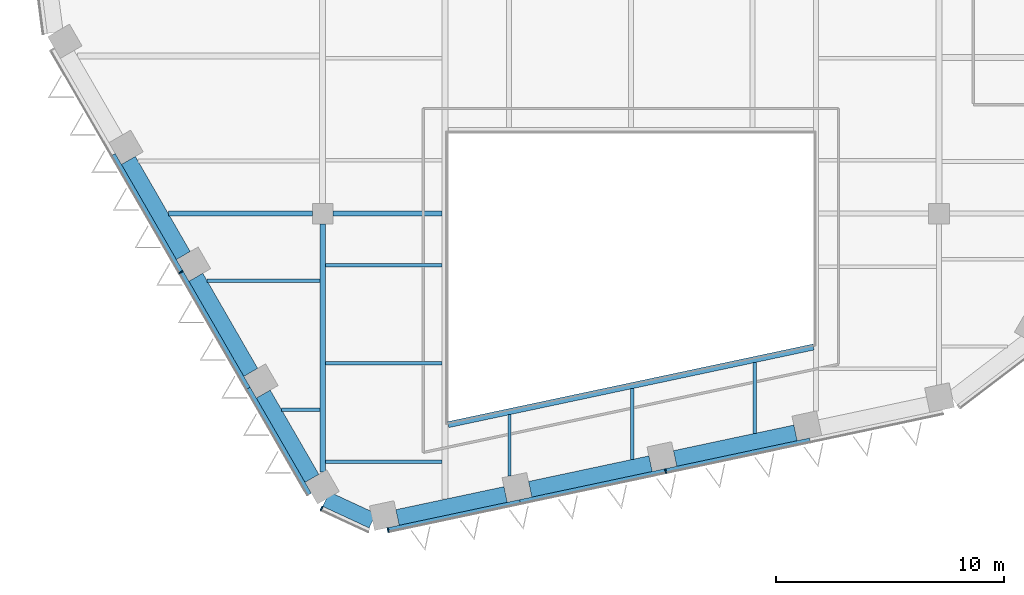
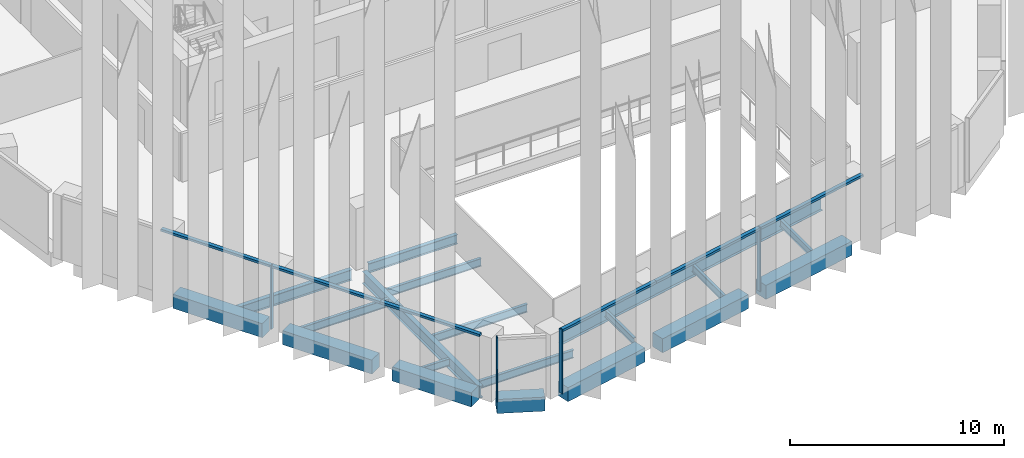
# One storey, part 2 of 18: 19 beams, 10 members, 3 elements without a shape of their own.
"""IFC4 building model written with IfcOpenShell, lengths in metres."""

from ifc_helpers import new_model, si_unit, direction, frame, origin, origin_2d, place, context, subcontext, project, spatial, rectangle, i_section, extrude, material, layer, layer_set, material_profile, profile_set, type_object, element, aggregate, save


model = new_model("IFC4")

# Units and contexts
model_context = context("Model", 3, precision=1e-05, world=origin(), true_north=direction((0.0, 1.0)))
body_context = subcontext(model_context, "Body", "Model", "MODEL_VIEW")
ifc_project = project(units=[si_unit("LENGTHUNIT", "METRE"), si_unit("AREAUNIT", "SQUARE_METRE"), si_unit("VOLUMEUNIT", "CUBIC_METRE"), si_unit("PLANEANGLEUNIT", "RADIAN"), si_unit("MASSUNIT", "GRAM", prefix="KILO")], contexts=[model_context])

# Site, building, storey
site_placement = place(None, origin())
site = spatial("IfcSite", under=ifc_project, at=site_placement, CompositionType="ELEMENT")
building_placement = place(site_placement, origin())
building = spatial("IfcBuilding", under=site, at=building_placement, Name="Isthmus Gate Tower", CompositionType="ELEMENT")
storey_placement = place(building_placement, frame((0.0, 0.0, 238.199951171875)))
storey = spatial("IfcBuildingStorey", under=building, at=storey_placement, Name="L60", CompositionType="ELEMENT", Elevation=238.199951171875)

# Curtain wall, member
ifc_material_1 = material(Name="Aluminium, pale champagne anodised", Category="aluminium")
ifc_layer = layer(ifc_material_1, 0.199951171875)
ifc_layer_set = layer_set([ifc_layer], Name="CW-1 UNITISED CURTAIN WALL 200 DEEP")
curtain_wall_type = type_object("IfcCurtainWallType", Name="CW-1 UNITISED CURTAIN WALL 200 DEEP", PredefinedType="NOTDEFINED", material=ifc_layer_set)
curtain_wall_1_placement = place(storey_placement, origin())
curtain_wall_1 = element("IfcCurtainWall", 1, at=curtain_wall_1_placement, inside=storey, type_object=curtain_wall_type, Name="CW-1 SW L60", PredefinedType="NOTDEFINED")
ifc_material_2 = material(Name="Aluminium, pale champagne anodised", Category="aluminium")
ifc_material_profile_1 = material_profile(ifc_material_2, rectangle(XDim=0.06005859375, YDim=0.199951171875, at=origin_2d()), Name="60x200")
ifc_profile_set_1 = profile_set([ifc_material_profile_1], Name="Aluminium, pale champagne anodised")
member_type_1 = type_object("IfcMemberType", Name="CW-1 MULLION 60 X 200", PredefinedType="MULLION", material=ifc_profile_set_1)
member_1_placement = place(storey_placement, frame((-19.707275390625, -16.066162109375, 0.0), z_axis=(0.0, 0.0, 1.0), x_axis=(0.5, -0.866025403784, 0.0)))
member_1 = element("IfcMember", 2, at=member_1_placement, type_object=member_type_1, Name="CW-1 mullion", PredefinedType="MULLION", context=body_context, shape_type="SweptSolid", body=[
    extrude(rectangle(XDim=0.06005859375, YDim=0.199951171875, at=origin_2d()), origin(), (0.0, 0.0, 1.0), 3.650146484375),
])

curtain_wall_2_placement = place(storey_placement, origin())
curtain_wall_2 = element("IfcCurtainWall", 3, at=curtain_wall_2_placement, inside=storey, type_object=curtain_wall_type, Name="CW-1 SW-S L60", PredefinedType="NOTDEFINED")
member_2_placement = place(storey_placement, frame((-13.54833984375, -26.419677734375, 0.0), z_axis=(0.0, 0.0, 1.0), x_axis=(0.907256261367, -0.420578264073, 0.0)))
member_2 = element("IfcMember", 4, at=member_2_placement, type_object=member_type_1, Name="CW-1 mullion", PredefinedType="MULLION", context=body_context, shape_type="SweptSolid", body=[
    extrude(rectangle(XDim=0.06005859375, YDim=0.199951171875, at=origin_2d()), origin(), (0.0, 0.0, 1.0), 3.650146484375),
])
aggregate(curtain_wall_2, [member_2])

# Curtain wall, members
curtain_wall_3_placement = place(storey_placement, origin())
curtain_wall_3 = element("IfcCurtainWall", 5, at=curtain_wall_3_placement, inside=storey, type_object=curtain_wall_type, Name="CW-1 S L60", PredefinedType="NOTDEFINED")
member_3_placement = place(storey_placement, frame((-10.6376953125, -27.36328125, 0.0), z_axis=(0.0, 0.0, 1.0), x_axis=(0.978147600734, 0.207911690818, 0.0)))
member_3 = element("IfcMember", 6, at=member_3_placement, type_object=member_type_1, Name="CW-1 mullion", PredefinedType="MULLION", context=body_context, shape_type="SweptSolid", body=[
    extrude(rectangle(XDim=0.06005859375, YDim=0.199951171875, at=origin_2d()), origin(), (0.0, 0.0, 1.0), 3.650146484375),
])
member_4_placement = place(storey_placement, frame((1.5244140625, -24.7783203125, 0.0), z_axis=(0.0, 0.0, 1.0), x_axis=(0.978147600734, 0.207911690818, 0.0)))
member_4 = element("IfcMember", 7, at=member_4_placement, type_object=member_type_1, Name="CW-1 mullion", PredefinedType="MULLION", context=body_context, shape_type="SweptSolid", body=[
    extrude(rectangle(XDim=0.06005859375, YDim=0.199951171875, at=origin_2d()), origin(), (0.0, 0.0, 1.0), 3.650146484375),
])

# Member
ifc_material_3 = material(Name="Aluminium, pale champagne anodised", Category="aluminium")
ifc_material_profile_2 = material_profile(ifc_material_3, rectangle(XDim=0.199951171875, YDim=0.1298828125, at=origin_2d()), Name="200x130")
ifc_profile_set_2 = profile_set([ifc_material_profile_2], Name="Aluminium, pale champagne anodised")
member_type_2 = type_object("IfcMemberType", Name="CW-1 TRANSOM 200 X 130", PredefinedType="USERDEFINED", material=ifc_profile_set_2)
member_5_placement = place(storey_placement, frame((-22.677490234375, -10.92138671875, 3.5849609375), z_axis=(0.500008496284, -0.866020498397, 0.0), x_axis=(0.866020498397, 0.500008496284, 0.0)))
member_5 = element("IfcMember", 8, at=member_5_placement, type_object=member_type_2, Name="CW-1 transom", ObjectType="TRANSOM", PredefinedType="USERDEFINED", context=body_context, shape_type="SweptSolid", body=[
    extrude(rectangle(XDim=0.199951171875, YDim=0.1298828125, at=origin_2d()), origin(), (0.0, 0.0, 1.0), 5.91064453125),
])

member_6_placement = place(storey_placement, frame((-19.692138671875, -16.092041015625, 3.5849609375), z_axis=(0.49998975084, -0.866031321059, 0.0), x_axis=(0.866031321059, 0.49998975084, 0.0)))
member_6 = element("IfcMember", 9, at=member_6_placement, type_object=member_type_2, Name="CW-1 transom", ObjectType="TRANSOM", PredefinedType="USERDEFINED", context=body_context, shape_type="SweptSolid", body=[
    extrude(rectangle(XDim=0.199951171875, YDim=0.1298828125, at=origin_2d()), origin(), (0.0, 0.0, 1.0), 5.8505859375),
])

member_7_placement = place(storey_placement, frame((-16.766845703125, -21.158935546875, 3.5849609375), z_axis=(0.499989227444, -0.866031623233, 0.0), x_axis=(0.866031623233, 0.499989227444, 0.0)))
member_7 = element("IfcMember", 10, at=member_7_placement, type_object=member_type_2, Name="CW-1 transom", ObjectType="TRANSOM", PredefinedType="USERDEFINED", context=body_context, shape_type="SweptSolid", body=[
    extrude(rectangle(XDim=0.199951171875, YDim=0.1298828125, at=origin_2d()), origin(), (0.0, 0.0, 1.0), 5.3603515625),
])

aggregate(curtain_wall_1, [member_5, member_1, member_6, member_7])

member_8_placement = place(storey_placement, frame((-10.6083984375, -27.357177734375, 3.5849609375), z_axis=(0.978148511799, 0.207907404549, 0.0), x_axis=(-0.207907404549, 0.978148511799, 0.0)))
member_8 = element("IfcMember", 11, at=member_8_placement, type_object=member_type_2, Name="CW-1 transom", ObjectType="TRANSOM", PredefinedType="USERDEFINED", context=body_context, shape_type="SweptSolid", body=[
    extrude(rectangle(XDim=0.199951171875, YDim=0.1298828125, at=origin_2d()), origin(), (0.0, 0.0, 1.0), 5.8818359375),
])

member_9_placement = place(storey_placement, frame((-4.85498046875, -26.13427734375, 3.5849609375), z_axis=(0.978142886198, 0.207933869729, 0.0), x_axis=(-0.207933869729, 0.978142886198, 0.0)))
member_9 = element("IfcMember", 12, at=member_9_placement, type_object=member_type_2, Name="CW-1 transom", ObjectType="TRANSOM", PredefinedType="USERDEFINED", context=body_context, shape_type="SweptSolid", body=[
    extrude(rectangle(XDim=0.199951171875, YDim=0.1298828125, at=origin_2d()), origin(), (0.0, 0.0, 1.0), 6.49169921875),
])

member_10_placement = place(storey_placement, frame((1.5537109375, -24.77197265625, 3.5849609375), z_axis=(0.978150457162, 0.207898251926, 0.0), x_axis=(-0.207898251926, 0.978150457162, 0.0)))
member_10 = element("IfcMember", 13, at=member_10_placement, type_object=member_type_2, Name="CW-1 transom", ObjectType="TRANSOM", PredefinedType="USERDEFINED", context=body_context, shape_type="SweptSolid", body=[
    extrude(rectangle(XDim=0.199951171875, YDim=0.1298828125, at=origin_2d()), origin(), (0.0, 0.0, 1.0), 6.431884765625),
])

aggregate(curtain_wall_3, [member_3, member_8, member_9, member_4, member_10])

# Beams
ifc_material_4 = material(Name="Concrete f'c 50 MPa", Category="concrete")
ifc_material_profile_3 = material_profile(ifc_material_4, rectangle(XDim=0.699951171875, YDim=0.800048828125, at=origin_2d()), Name="RC 700X800")
ifc_profile_set_3 = profile_set([ifc_material_profile_3], Name="Concrete f'c 50 MPa")
beam_type_1 = type_object("IfcBeamType", Name="RC SPANDREL 700 X 800", PredefinedType="SPANDREL", material=ifc_profile_set_3)
for number, where, z_axis, x_axis, name in (
    (14, (7.21337890625, -23.10888671875, -0.39990234375), (-0.978144348563, -0.207926990492, 0.0), (0.207926990492, -0.978144348563, 0.0), "str-spandrel-L60-12"),
    (15, (0.863525390625, -24.458740234375, -0.39990234375), (-0.978155513612, -0.207874460167, 0.0), (0.207874460167, -0.978155513612, 0.0), "str-spandrel-L60-13"),
):
    element("IfcBeam", number, at=place(storey_placement, frame(where, z_axis=z_axis, x_axis=x_axis)), inside=storey, type_object=beam_type_1, Name=name, PredefinedType="SPANDREL", context=body_context, shape_type="SweptSolid", body=[
        extrude(rectangle(XDim=0.699951171875, YDim=0.800048828125, at=origin_2d()), origin(), (0.0, 0.0, 1.0), 5.391845703125),
    ])
beam_1_placement = place(storey_placement, frame((-5.486572265625, -25.808349609375, -0.39990234375), z_axis=(-0.978141291228, -0.207941372495, 0.0), x_axis=(0.207941372495, -0.978141291228, 0.0)))
element("IfcBeam", 16, at=beam_1_placement, inside=storey, type_object=beam_type_1, Name="str-spandrel-L60-14", PredefinedType="SPANDREL", context=body_context, shape_type="SweptSolid", body=[
    extrude(rectangle(XDim=0.699951171875, YDim=0.800048828125, at=origin_2d()), origin(), (0.0, 0.0, 1.0), 4.842041015625),
])
beam_2_placement = place(storey_placement, frame((-11.31689453125, -26.958251953125, -0.39990234375), z_axis=(-0.907254968276, 0.42058105347, 0.0), x_axis=(-0.42058105347, -0.907254968276, 0.0)))
element("IfcBeam", 17, at=beam_2_placement, inside=storey, type_object=beam_type_1, Name="str-spandrel-L60-15", PredefinedType="SPANDREL", context=body_context, shape_type="SweptSolid", body=[
    extrude(rectangle(XDim=0.699951171875, YDim=0.800048828125, at=origin_2d()), origin(), (0.0, 0.0, 1.0), 2.245849609375),
])
beam_3_placement = place(storey_placement, frame((-13.971923828125, -25.10009765625, -0.39990234375), z_axis=(-0.499996907167, 0.866027189425, 0.0), x_axis=(-0.866027189425, -0.499996907167, 0.0)))
element("IfcBeam", 18, at=beam_3_placement, inside=storey, type_object=beam_type_1, Name="str-spandrel-L60-16", PredefinedType="SPANDREL", context=body_context, shape_type="SweptSolid", body=[
    extrude(rectangle(XDim=0.699951171875, YDim=0.800048828125, at=origin_2d()), origin(), (0.0, 0.0, 1.0), 4.2607421875),
])
for number, where, z_axis, x_axis, name in (
    (19, (-16.652099609375, -20.45751953125, -0.39990234375), (-0.500003616288, 0.866023315909, 0.0), (-0.866023315909, -0.500003616288, 0.0), "str-spandrel-L60-17"),
    (20, (-19.607421875, -15.3388671875, -0.39990234375), (-0.500003616288, 0.866023315909, 0.0), (-0.866023315909, -0.500003616288, 0.0), "str-spandrel-L60-18"),
):
    element("IfcBeam", number, at=place(storey_placement, frame(where, z_axis=z_axis, x_axis=x_axis)), inside=storey, type_object=beam_type_1, Name=name, PredefinedType="SPANDREL", context=body_context, shape_type="SweptSolid", body=[
        extrude(rectangle(XDim=0.699951171875, YDim=0.800048828125, at=origin_2d()), origin(), (0.0, 0.0, 1.0), 4.810546875),
    ])
ifc_material_5 = material(Name="Structural steel ASTM A992 Gr 50", Category="steel")
ifc_material_profile_4 = material_profile(ifc_material_5, i_section(OverallWidth=0.1396484375, OverallDepth=0.4033203125, WebThickness=0.00634765625, FlangeThickness=0.010986328125, at=origin_2d()), Name="W16X31")
ifc_profile_set_4 = profile_set([ifc_material_profile_4], Name="Structural steel ASTM A992 Gr 50")
beam_type_2 = type_object("IfcBeamType", Name="STEEL FLOOR BEAM W16X31", PredefinedType="JOIST", material=ifc_profile_set_4)
beam_4_placement = place(storey_placement, frame((-15.30126953125, -22.097412109375, -0.3515625), z_axis=(1.0, 0.0, 0.0), x_axis=(0.0, 1.0, 0.0)))
element("IfcBeam", 21, at=beam_4_placement, inside=storey, type_object=beam_type_2, Name="str-beam-L60-02-00", PredefinedType="JOIST", context=body_context, shape_type="SweptSolid", body=[
    extrude(i_section(OverallWidth=0.1396484375, OverallDepth=0.4033203125, WebThickness=0.00634765625, FlangeThickness=0.010986328125, at=origin_2d()), origin(), (0.0, 0.0, 1.0), 1.67431640625),
])
beam_5_placement = place(storey_placement, frame((-5.314208984375, -25.005126953125, -0.3515625), z_axis=(0.0, 1.0, 0.0), x_axis=(-1.0, 0.0, 0.0)))
element("IfcBeam", 22, at=beam_5_placement, inside=storey, type_object=beam_type_2, Name="str-beam-L60-06-00", PredefinedType="JOIST", context=body_context, shape_type="SweptSolid", body=[
    extrude(i_section(OverallWidth=0.1396484375, OverallDepth=0.4033203125, WebThickness=0.00634765625, FlangeThickness=0.010986328125, at=origin_2d()), origin(), (0.0, 0.0, 1.0), 2.692138671875),
])
for number, where, z_axis, x_axis, name in (
    (23, (0.05712890625, -24.272216796875, -0.3515625), (0.0, 1.0, 0.0), (-1.0, 0.0, 0.0), "str-beam-L60-06-01"),
    (24, (5.428466796875, -23.13037109375, -0.3515625), (0.0, 1.0, 0.0), (-1.0, 0.0, 0.0), "str-beam-L60-06-02"),
):
    element("IfcBeam", number, at=place(storey_placement, frame(where, z_axis=z_axis, x_axis=x_axis)), inside=storey, type_object=beam_type_2, Name=name, PredefinedType="JOIST", context=body_context, shape_type="SweptSolid", body=[
        extrude(i_section(OverallWidth=0.1396484375, OverallDepth=0.4033203125, WebThickness=0.00634765625, FlangeThickness=0.010986328125, at=origin_2d()), origin(), (0.0, 0.0, 1.0), 3.10107421875),
    ])
ifc_material_6 = material(Name="Structural steel ASTM A992 Gr 50", Category="steel")
ifc_material_profile_5 = material_profile(ifc_material_6, i_section(OverallWidth=0.15234375, OverallDepth=0.45068359375, WebThickness=0.0078125, FlangeThickness=0.010986328125, at=origin_2d()), Name="W18X35")
ifc_profile_set_5 = profile_set([ifc_material_profile_5], Name="Structural steel ASTM A992 Gr 50")
beam_type_3 = type_object("IfcBeamType", Name="STEEL FLOOR BEAM W18X35", PredefinedType="JOIST", material=ifc_profile_set_5)
beam_6_placement = place(storey_placement, frame((-18.56640625, -16.44189453125, -0.375244140625), z_axis=(1.0, 0.0, 0.0), x_axis=(0.0, 1.0, 0.0)))
element("IfcBeam", 25, at=beam_6_placement, inside=storey, type_object=beam_type_3, Name="str-beam-L60-02-01", PredefinedType="JOIST", context=body_context, shape_type="SweptSolid", body=[
    extrude(i_section(OverallWidth=0.15234375, OverallDepth=0.45068359375, WebThickness=0.0078125, FlangeThickness=0.010986328125, at=origin_2d()), origin(), (0.0, 0.0, 1.0), 4.939453125),
])
for number, where, z_axis, x_axis, name in (
    (26, (-13.373046875, -24.3759765625, -0.375244140625), (1.0, 0.0, 0.0), (0.0, 1.0, 0.0), "str-beam-L60-04-00"),
    (27, (-13.373046875, -20.0673828125, -0.375244140625), (1.0, 0.0, 0.0), (0.0, 1.0, 0.0), "str-beam-L60-04-01"),
    (28, (-13.373046875, -15.759033203125, -0.375244140625), (1.0, 0.0, 0.0), (0.0, 1.0, 0.0), "str-beam-L60-04-02"),
):
    element("IfcBeam", number, at=place(storey_placement, frame(where, z_axis=z_axis, x_axis=x_axis)), inside=storey, type_object=beam_type_3, Name=name, PredefinedType="JOIST", context=body_context, shape_type="SweptSolid", body=[
        extrude(i_section(OverallWidth=0.15234375, OverallDepth=0.45068359375, WebThickness=0.0078125, FlangeThickness=0.010986328125, at=origin_2d()), origin(), (0.0, 0.0, 1.0), 5.109619140625),
    ])
ifc_material_7 = material(Name="Structural steel ASTM A992 Gr 50", Category="steel")
ifc_material_profile_6 = material_profile(ifc_material_7, i_section(OverallWidth=0.20947265625, OverallDepth=0.533447265625, WebThickness=0.009521484375, FlangeThickness=0.015869140625, at=origin_2d()), Name="W21X62")
ifc_profile_set_6 = profile_set([ifc_material_profile_6], Name="Structural steel ASTM A992 Gr 50")
beam_type_4 = type_object("IfcBeamType", Name="STEEL GIRDER W21X62", PredefinedType="BEAM", material=ifc_profile_set_6)
beam_7_placement = place(storey_placement, frame((-13.050048828125, -13.5, -0.416748046875), z_axis=(1.0, 0.0, 0.0), x_axis=(0.0, 1.0, 0.0)))
element("IfcBeam", 29, at=beam_7_placement, inside=storey, type_object=beam_type_4, Name="str-girder-L60-02", PredefinedType="BEAM", context=body_context, shape_type="SweptSolid", body=[
    extrude(i_section(OverallWidth=0.20947265625, OverallDepth=0.533447265625, WebThickness=0.009521484375, FlangeThickness=0.015869140625, at=origin_2d()), origin(), (0.0, 0.0, 1.0), 4.78662109375),
])
ifc_material_8 = material(Name="Structural steel ASTM A992 Gr 50", Category="steel")
ifc_material_profile_7 = material_profile(ifc_material_8, i_section(OverallWidth=0.228515625, OverallDepth=0.603271484375, WebThickness=0.010986328125, FlangeThickness=0.014404296875, at=origin_2d()), Name="W24X68")
ifc_profile_set_7 = profile_set([ifc_material_profile_7], Name="Structural steel ASTM A992 Gr 50")
beam_type_5 = type_object("IfcBeamType", Name="STEEL GIRDER W24X68", PredefinedType="BEAM", material=ifc_profile_set_7)
beam_8_placement = place(storey_placement, frame((-20.264892578125, -13.5, -0.45166015625), z_axis=(1.0, 0.0, 0.0), x_axis=(0.0, 1.0, 0.0)))
element("IfcBeam", 30, at=beam_8_placement, inside=storey, type_object=beam_type_5, Name="str-girder-L60-01", PredefinedType="BEAM", context=body_context, shape_type="SweptSolid", body=[
    extrude(i_section(OverallWidth=0.228515625, OverallDepth=0.603271484375, WebThickness=0.010986328125, FlangeThickness=0.014404296875, at=origin_2d()), origin(), (0.0, 0.0, 1.0), 6.31494140625),
])
ifc_material_9 = material(Name="Structural steel ASTM A992 Gr 50", Category="steel")
ifc_material_profile_8 = material_profile(ifc_material_9, i_section(OverallWidth=0.25390625, OverallDepth=0.679443359375, WebThickness=0.010986328125, FlangeThickness=0.015869140625, at=origin_2d()), Name="W27X84")
ifc_profile_set_8 = profile_set([ifc_material_profile_8], Name="Structural steel ASTM A992 Gr 50")
beam_type_6 = type_object("IfcBeamType", Name="STEEL GIRDER W27X84", PredefinedType="BEAM", material=ifc_profile_set_8)
beam_9_placement = place(storey_placement, frame((-13.5, -24.82763671875, -0.48974609375), z_axis=(0.0, 1.0, 0.0), x_axis=(-1.0, 0.0, 0.0)))
element("IfcBeam", 31, at=beam_9_placement, inside=storey, type_object=beam_type_6, Name="str-girder-L60-05", PredefinedType="BEAM", context=body_context, shape_type="SweptSolid", body=[
    extrude(i_section(OverallWidth=0.25390625, OverallDepth=0.679443359375, WebThickness=0.010986328125, FlangeThickness=0.015869140625, at=origin_2d()), origin(), (0.0, 0.0, 1.0), 10.877685546875),
])
ifc_material_10 = material(Name="Structural steel ASTM A992 Gr 50", Category="steel")
ifc_material_profile_9 = material_profile(ifc_material_10, i_section(OverallWidth=0.2666015625, OverallDepth=0.7587890625, WebThickness=0.014404296875, FlangeThickness=0.01904296875, at=origin_2d()), Name="W30X108")
ifc_profile_set_9 = profile_set([ifc_material_profile_9], Name="Structural steel ASTM A992 Gr 50")
beam_type_7 = type_object("IfcBeamType", Name="STEEL TRIMMER W30X108", PredefinedType="BEAM", material=ifc_profile_set_9)
beam_10_placement = place(storey_placement, frame((-8.0, -22.747314453125, -0.529296875), z_axis=(0.978147924985, 0.20791016533, 0.0), x_axis=(-0.20791016533, 0.978147924985, 0.0)))
element("IfcBeam", 32, at=beam_10_placement, inside=storey, type_object=beam_type_7, Name="str-trimmer-L60-03", PredefinedType="BEAM", context=body_context, shape_type="SweptSolid", body=[
    extrude(i_section(OverallWidth=0.2666015625, OverallDepth=0.7587890625, WebThickness=0.014404296875, FlangeThickness=0.01904296875, at=origin_2d()), origin(), (0.0, 0.0, 1.0), 16.357421875),
])

save(model, "model.ifc")
